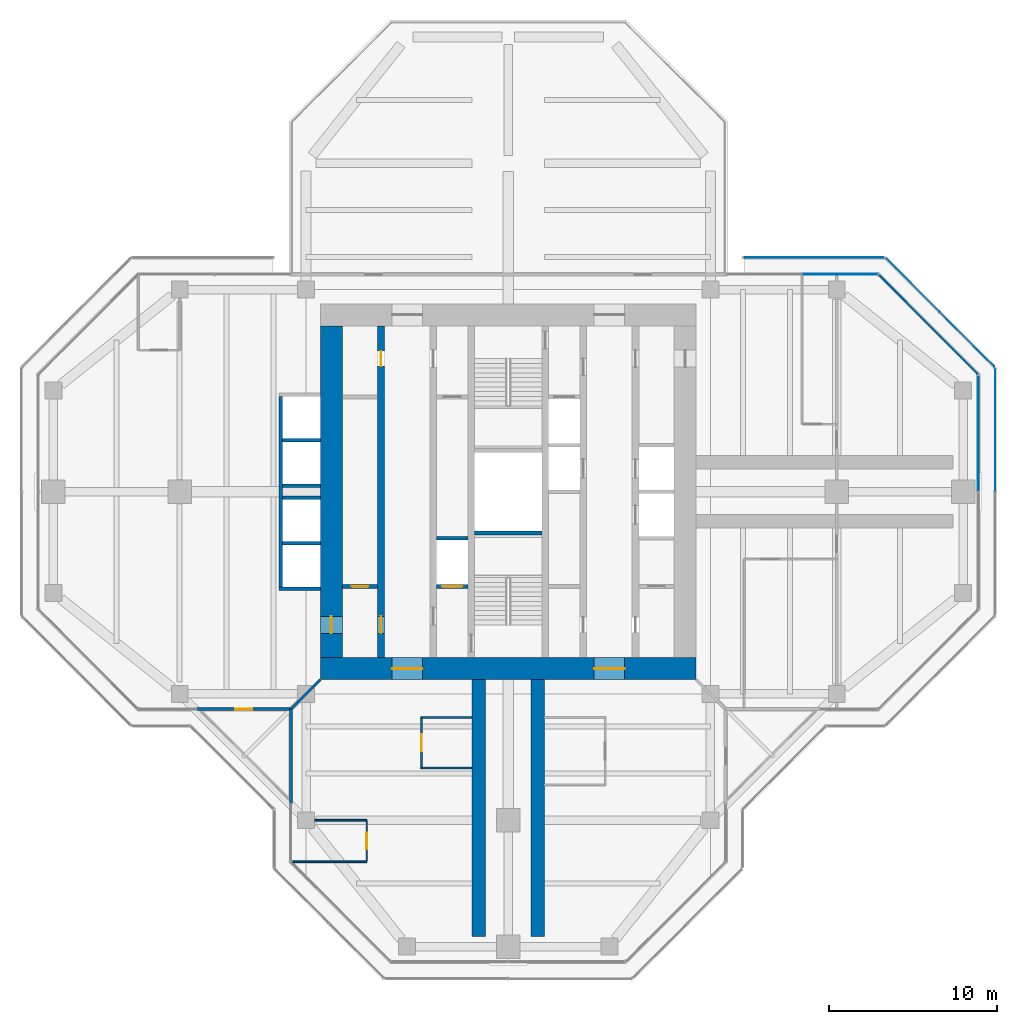
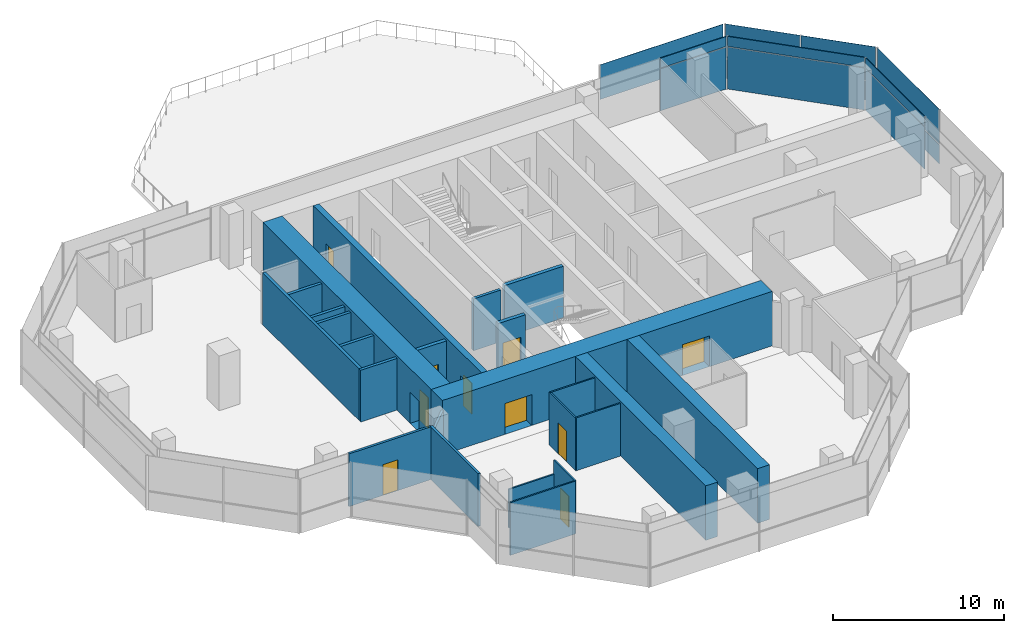
# One storey, part 11 of 15: 24 walls, 13 plates, 10 doors, 10 openings, 6 elements without a shape of their own.
"""IFC4 building model written with IfcOpenShell, lengths in metres."""

from ifc_helpers import new_model, si_unit, direction, frame, frame_2d, origin, origin_2d, place, context, subcontext, project, spatial, rectangle, extrude, material, layer, layer_set, type_object, element, fill, aggregate, save


model = new_model("IFC4")

# Units and contexts
model_context = context("Model", 3, precision=1e-05, world=origin(), true_north=direction((0.0, 1.0)))
body_context = subcontext(model_context, "Body", "Model", "MODEL_VIEW")
ifc_project = project(units=[si_unit("LENGTHUNIT", "METRE"), si_unit("AREAUNIT", "SQUARE_METRE"), si_unit("VOLUMEUNIT", "CUBIC_METRE"), si_unit("PLANEANGLEUNIT", "RADIAN"), si_unit("MASSUNIT", "GRAM", prefix="KILO")], contexts=[model_context])

# Site, building, storey
site_placement = place(None, origin())
site = spatial("IfcSite", under=ifc_project, at=site_placement, CompositionType="ELEMENT")
building_placement = place(site_placement, origin())
building = spatial("IfcBuilding", under=site, at=building_placement, Name="Mizan Broadcast Tower", CompositionType="ELEMENT")
storey_placement = place(building_placement, frame((0.0, 0.0, 267.300048828125)))
storey = spatial("IfcBuildingStorey", under=building, at=storey_placement, Name="L63", CompositionType="ELEMENT", Elevation=267.300048828125)

# Curtain wall, plate
ifc_material_1 = material(Name="Aluminium framed glazing", Category="aluminium")
curtain_wall_type_1 = type_object("IfcCurtainWallType", Name="INNER SKIN TOP ZONE", PredefinedType="USERDEFINED", material=ifc_material_1)
curtain_wall_1_placement = place(storey_placement, origin())
curtain_wall_1 = element("IfcCurtainWall", 1, at=curtain_wall_1_placement, inside=storey, type_object=curtain_wall_type_1, Name="Inner skin top zone L63 E end", ObjectType="INNER SKIN TOP ZONE", PredefinedType="USERDEFINED")
ifc_material_2 = material(Name="Double glazing, clear low-e", Category="glass")
ifc_layer_1 = layer(ifc_material_2, 0.028076171875)
ifc_layer_set_1 = layer_set([ifc_layer_1], Name="Double glazing, clear low-e")
plate_type_1 = type_object("IfcPlateType", Name="INNER SKIN GLAZING UNIT", PredefinedType="CURTAIN_PANEL", material=ifc_layer_set_1)
plate_1_placement = place(storey_placement, frame((27.89990234375, 3.46435546875, 0.0), z_axis=(0.0, 0.0, 1.0), x_axis=(0.0, 1.0, 0.0)))
plate_1 = element("IfcPlate", 2, at=plate_1_placement, type_object=plate_type_1, Name="Inner skin top zone L63 E end panel 2.1", PredefinedType="CURTAIN_PANEL", context=body_context, shape_type="SweptSolid", body=[
    extrude(rectangle(XDim=6.86865234375, YDim=0.028076171875, at=origin_2d()), origin(), (0.0, 0.0, 1.0), 3.0),
])

curtain_wall_2_placement = place(storey_placement, origin())
curtain_wall_2 = element("IfcCurtainWall", 3, at=curtain_wall_2_placement, inside=storey, type_object=curtain_wall_type_1, Name="Inner skin top zone L63 E chamfer", ObjectType="INNER SKIN TOP ZONE", PredefinedType="USERDEFINED")
plate_2_placement = place(storey_placement, frame((24.92919921875, 9.92919921875, 0.0), z_axis=(0.0, 0.0, 1.0), x_axis=(-0.707106781187, 0.707106781187, 0.0)))
plate_2 = element("IfcPlate", 4, at=plate_2_placement, type_object=plate_type_1, Name="Inner skin top zone L63 E chamfer panel 1.1", PredefinedType="CURTAIN_PANEL", context=body_context, shape_type="SweptSolid", body=[
    extrude(rectangle(XDim=8.282470703125, YDim=0.028076171875, at=origin_2d()), origin(), (0.0, 0.0, 1.0), 3.0),
])

curtain_wall_3_placement = place(storey_placement, origin())
curtain_wall_3 = element("IfcCurtainWall", 5, at=curtain_wall_3_placement, inside=storey, type_object=curtain_wall_type_1, Name="Inner skin top zone L63 N end", ObjectType="INNER SKIN TOP ZONE", PredefinedType="USERDEFINED")
plate_3_placement = place(storey_placement, frame((19.678955078125, 12.89990234375, 0.0), z_axis=(0.0, 0.0, 1.0), x_axis=(-1.0, 0.0, 0.0)))
plate_3 = element("IfcPlate", 6, at=plate_3_placement, type_object=plate_type_1, Name="Inner skin top zone L63 N end panel 1.1", PredefinedType="CURTAIN_PANEL", context=body_context, shape_type="SweptSolid", body=[
    extrude(rectangle(XDim=4.439208984375, YDim=0.028076171875, at=origin_2d()), origin(), (0.0, 0.0, 1.0), 3.0),
])

# Plate
ifc_material_3 = material(Name="Insulated aluminium spandrel panel, pale anodised", Category="aluminium")
ifc_layer_2 = layer(ifc_material_3, 0.050048828125)
ifc_layer_set_2 = layer_set([ifc_layer_2], Name="Insulated aluminium spandrel panel, pale anodised")
plate_type_2 = type_object("IfcPlateType", Name="INNER SKIN SPANDREL PANEL", PredefinedType="CURTAIN_PANEL", material=ifc_layer_set_2)
plate_4_placement = place(storey_placement, frame((27.89990234375, 3.46435546875, 3.06005859375), z_axis=(0.0, 0.0, 1.0), x_axis=(0.0, 1.0, 0.0)))
plate_4 = element("IfcPlate", 7, at=plate_4_placement, type_object=plate_type_2, Name="Inner skin top zone L63 E end panel 2.2", PredefinedType="CURTAIN_PANEL", context=body_context, shape_type="SweptSolid", body=[
    extrude(rectangle(XDim=6.86865234375, YDim=0.050048828125, at=origin_2d()), origin(), (0.0, 0.0, 1.0), 0.7099609375),
])

aggregate(curtain_wall_1, [plate_1, plate_4])

plate_5_placement = place(storey_placement, frame((24.92919921875, 9.92919921875, 3.06005859375), z_axis=(0.0, 0.0, 1.0), x_axis=(-0.707106781187, 0.707106781187, 0.0)))
plate_5 = element("IfcPlate", 8, at=plate_5_placement, type_object=plate_type_2, Name="Inner skin top zone L63 E chamfer panel 1.2", PredefinedType="CURTAIN_PANEL", context=body_context, shape_type="SweptSolid", body=[
    extrude(rectangle(XDim=8.282470703125, YDim=0.050048828125, at=origin_2d()), origin(), (0.0, 0.0, 1.0), 0.7099609375),
])

aggregate(curtain_wall_2, [plate_2, plate_5])

plate_6_placement = place(storey_placement, frame((19.678955078125, 12.89990234375, 3.06005859375), z_axis=(0.0, 0.0, 1.0), x_axis=(-1.0, 0.0, 0.0)))
plate_6 = element("IfcPlate", 9, at=plate_6_placement, type_object=plate_type_2, Name="Inner skin top zone L63 N end panel 1.2", PredefinedType="CURTAIN_PANEL", context=body_context, shape_type="SweptSolid", body=[
    extrude(rectangle(XDim=4.439208984375, YDim=0.050048828125, at=origin_2d()), origin(), (0.0, 0.0, 1.0), 0.7099609375),
])

aggregate(curtain_wall_3, [plate_3, plate_6])

# Curtain wall, plates
ifc_material_4 = material(Name="Aluminium framed glazing", Category="aluminium")
curtain_wall_type_2 = type_object("IfcCurtainWallType", Name="OUTER SKIN", PredefinedType="USERDEFINED", material=ifc_material_4)
curtain_wall_4_placement = place(storey_placement, origin())
curtain_wall_4 = element("IfcCurtainWall", 10, at=curtain_wall_4_placement, inside=storey, type_object=curtain_wall_type_2, Name="Outer skin L63 E chamfer", ObjectType="OUTER SKIN", PredefinedType="USERDEFINED")
ifc_material_5 = material(Name="Laminated clear glass", Category="glass")
ifc_layer_3 = layer(ifc_material_5, 0.02001953125)
ifc_layer_set_3 = layer_set([ifc_layer_3], Name="Laminated clear glass")
plate_type_3 = type_object("IfcPlateType", Name="OUTER SKIN CLEAR GLASS", PredefinedType="CURTAIN_PANEL", material=ifc_layer_set_3)
plate_7_placement = place(storey_placement, frame((27.254150390625, 9.018798828125, 0.0), z_axis=(0.0, 0.0, 1.0), x_axis=(-0.707106781187, 0.707106781187, 0.0)))
plate_7 = element("IfcPlate", 11, at=plate_7_placement, type_object=plate_type_3, Name="Outer skin L63 E chamfer panel 1.1", PredefinedType="CURTAIN_PANEL", context=body_context, shape_type="SweptSolid", body=[
    extrude(rectangle(XDim=4.495361328125, YDim=0.02001953125, at=origin_2d()), origin(), (0.0, 0.0, 1.0), 1.3701171875),
])
plate_8_placement = place(storey_placement, frame((27.254150390625, 9.018798828125, 1.43017578125), z_axis=(0.0, 0.0, 1.0), x_axis=(-0.707106781187, 0.707106781187, 0.0)))
plate_8 = element("IfcPlate", 12, at=plate_8_placement, type_object=plate_type_3, Name="Outer skin L63 E chamfer panel 1.2", PredefinedType="CURTAIN_PANEL", context=body_context, shape_type="SweptSolid", body=[
    extrude(rectangle(XDim=4.495361328125, YDim=0.02001953125, at=origin_2d()), origin(), (0.0, 0.0, 1.0), 2.469970703125),
])

# Curtain wall, plate
curtain_wall_5_placement = place(storey_placement, origin())
curtain_wall_5 = element("IfcCurtainWall", 13, at=curtain_wall_5_placement, inside=storey, type_object=curtain_wall_type_2, Name="Outer skin L63 N face", ObjectType="OUTER SKIN", PredefinedType="USERDEFINED")
plate_9_placement = place(storey_placement, frame((18.136474609375, 13.89990234375, 1.43017578125), z_axis=(0.0, 0.0, 1.0), x_axis=(-1.0, 0.0, 0.0)))
plate_9 = element("IfcPlate", 14, at=plate_9_placement, type_object=plate_type_3, Name="Outer skin L63 N face panel 1.2", PredefinedType="CURTAIN_PANEL", context=body_context, shape_type="SweptSolid", body=[
    extrude(rectangle(XDim=8.312744140625, YDim=0.02001953125, at=origin_2d()), origin(), (0.0, 0.0, 1.0), 2.469970703125),
])
aggregate(curtain_wall_5, [plate_9])

# Curtain wall, plates
curtain_wall_6_placement = place(storey_placement, origin())
curtain_wall_6 = element("IfcCurtainWall", 15, at=curtain_wall_6_placement, inside=storey, type_object=curtain_wall_type_2, Name="Outer skin L63 E end", ObjectType="OUTER SKIN", PredefinedType="USERDEFINED")
ifc_material_6 = material(Name="Perforated aluminium, pale anodised", Category="aluminium")
ifc_layer_4 = layer(ifc_material_6, 0.011962890625)
ifc_layer_set_4 = layer_set([ifc_layer_4], Name="Perforated aluminium, pale anodised")
plate_type_4 = type_object("IfcPlateType", Name="OUTER SKIN PERFORATED SCREEN", PredefinedType="USERDEFINED", material=ifc_layer_set_4)
plate_10_placement = place(storey_placement, frame((28.89990234375, 3.66650390625, 0.0), z_axis=(0.0, 0.0, 1.0), x_axis=(0.0, 1.0, 0.0)))
plate_10 = element("IfcPlate", 16, at=plate_10_placement, type_object=plate_type_4, Name="Outer skin L63 E end panel 2.1", ObjectType="SCREEN", PredefinedType="USERDEFINED", context=body_context, shape_type="SweptSolid", body=[
    extrude(rectangle(XDim=7.252685546875, YDim=0.011962890625, at=origin_2d()), origin(), (0.0, 0.0, 1.0), 1.3701171875),
])
plate_11_placement = place(storey_placement, frame((28.89990234375, 3.66650390625, 1.43017578125), z_axis=(0.0, 0.0, 1.0), x_axis=(0.0, 1.0, 0.0)))
plate_11 = element("IfcPlate", 17, at=plate_11_placement, type_object=plate_type_4, Name="Outer skin L63 E end panel 2.2", ObjectType="SCREEN", PredefinedType="USERDEFINED", context=body_context, shape_type="SweptSolid", body=[
    extrude(rectangle(XDim=7.252685546875, YDim=0.011962890625, at=origin_2d()), origin(), (0.0, 0.0, 1.0), 2.469970703125),
])
aggregate(curtain_wall_6, [plate_10, plate_11])

# Plate
plate_12_placement = place(storey_placement, frame((24.018798828125, 12.254150390625, 0.0), z_axis=(0.0, 0.0, 1.0), x_axis=(-0.707106781187, 0.707106781187, 0.0)))
plate_12 = element("IfcPlate", 18, at=plate_12_placement, type_object=plate_type_4, Name="Outer skin L63 E chamfer panel 2.1", ObjectType="SCREEN", PredefinedType="USERDEFINED", context=body_context, shape_type="SweptSolid", body=[
    extrude(rectangle(XDim=4.495361328125, YDim=0.011962890625, at=origin_2d()), origin(), (0.0, 0.0, 1.0), 1.3701171875),
])

plate_13_placement = place(storey_placement, frame((24.018798828125, 12.254150390625, 1.43017578125), z_axis=(0.0, 0.0, 1.0), x_axis=(-0.707106781187, 0.707106781187, 0.0)))
plate_13 = element("IfcPlate", 19, at=plate_13_placement, type_object=plate_type_4, Name="Outer skin L63 E chamfer panel 2.2", ObjectType="SCREEN", PredefinedType="USERDEFINED", context=body_context, shape_type="SweptSolid", body=[
    extrude(rectangle(XDim=4.495361328125, YDim=0.011962890625, at=origin_2d()), origin(), (0.0, 0.0, 1.0), 2.469970703125),
])

aggregate(curtain_wall_4, [plate_7, plate_8, plate_12, plate_13])

# Wall, openings, doors
ifc_material_7 = material(Name="Concrete C70/85", Category="concrete")
ifc_layer_5 = layer(ifc_material_7, 0.39990234375)
ifc_layer_set_5 = layer_set([ifc_layer_5], Name="Concrete C70/85")
wall_type_1 = type_object("IfcWallType", Name="CORE INTERNAL WALL 400", PredefinedType="SHEAR", material=ifc_layer_set_5)
wall_1_placement = place(storey_placement, frame((-7.550048828125, -9.85009765625, 0.0), z_axis=(0.0, 0.0, 1.0), x_axis=(0.0, 1.0, 0.0)))
wall_1 = element("IfcWall", 20, at=wall_1_placement, inside=storey, type_object=wall_type_1, Name="Core wall CORE/XW1", PredefinedType="SHEAR", context=body_context, shape_type="SweptSolid", body=[
    extrude(rectangle(XDim=19.7001953125, YDim=0.39990234375, at=frame_2d((9.85009765625, 0.0))), origin(), (0.0, 0.0, 1.0), 3.89990234375),
])
opening_1_placement = place(wall_1_placement, frame((1.449951171875, 0.0, 0.0)))
opening_1 = element("IfcOpeningElement", 21, at=opening_1_placement, cuts=wall_1, Name="Opening D10F", PredefinedType="OPENING", context=body_context, shape_type="SweptSolid", body=[
    extrude(rectangle(XDim=1.0, YDim=2.199951171875, at=frame_2d((0.5, 1.10009765625))), frame((0.0, 0.2099609375, 0.0), z_axis=(0.0, -1.0, 0.0), x_axis=(1.0, 0.0, 0.0)), (0.0, 0.0, 1.0), 0.419921875),
])
opening_2_placement = place(wall_1_placement, frame((17.300048828125, 0.0, 0.0)))
opening_2 = element("IfcOpeningElement", 22, at=opening_2_placement, cuts=wall_1, Name="Opening D09", PredefinedType="OPENING", context=body_context, shape_type="SweptSolid", body=[
    extrude(rectangle(XDim=0.89990234375, YDim=2.10009765625, at=frame_2d((0.449951171875, 1.050048828125))), frame((0.0, 0.2099609375, 0.0), z_axis=(0.0, -1.0, 0.0), x_axis=(1.0, 0.0, 0.0)), (0.0, 0.0, 1.0), 0.419921875),
])
ifc_material_8 = material(Name="Steel door leaf in steel frame", Category="steel")
door_type_1 = type_object("IfcDoorType", Name="FIRE DOOR 1000 FD90", OperationType="SINGLE_SWING_LEFT", PredefinedType="DOOR", material=ifc_material_8)
door_1_placement = place(opening_1_placement, origin())
door_1 = element("IfcDoor", 23, at=door_1_placement, inside=storey, type_object=door_type_1, Name="West core passage door", OperationType="SINGLE_SWING_LEFT", OverallHeight=2.199951171875, OverallWidth=1.0, PredefinedType="DOOR", context=body_context, shape_type="SweptSolid", body=[
    extrude(rectangle(XDim=1.0, YDim=2.199951171875, at=frame_2d((0.5, 1.10009765625))), frame((0.0, 0.02490234375, 0.0), z_axis=(0.0, -1.0, 0.0), x_axis=(1.0, 0.0, 0.0)), (0.0, 0.0, 1.0), 0.050048828125),
])
fill(opening_1, door_1)
ifc_material_9 = material(Name="Timber door leaf in aluminium frame", Category="wood")
door_type_2 = type_object("IfcDoorType", Name="TOILET DOOR 900", OperationType="SINGLE_SWING_LEFT", PredefinedType="DOOR", material=ifc_material_9)
door_2_placement = place(opening_2_placement, origin())
door_2 = element("IfcDoor", 24, at=door_2_placement, inside=storey, type_object=door_type_2, Name="Male WC door", OperationType="SINGLE_SWING_RIGHT", OverallHeight=2.10009765625, OverallWidth=0.89990234375, PredefinedType="DOOR", context=body_context, shape_type="SweptSolid", body=[
    extrude(rectangle(XDim=0.89990234375, YDim=2.10009765625, at=frame_2d((0.449951171875, 1.050048828125))), frame((0.0, 0.02490234375, 0.0), z_axis=(0.0, -1.0, 0.0), x_axis=(1.0, 0.0, 0.0)), (0.0, 0.0, 1.0), 0.050048828125),
])
fill(opening_2, door_2)

ifc_material_10 = material(Name="Concrete C70/85", Category="concrete")
ifc_layer_6 = layer(ifc_material_10, 1.300048828125)
ifc_layer_set_6 = layer_set([ifc_layer_6], Name="Concrete C70/85")
wall_type_2 = type_object("IfcWallType", Name="CORE WALL 1300", PredefinedType="SHEAR", material=ifc_layer_set_6)
wall_2_placement = place(storey_placement, frame((11.14990234375, -10.5, 0.0), z_axis=(0.0, 0.0, 1.0), x_axis=(-1.0, 0.0, 0.0)))
wall_2 = element("IfcWall", 25, at=wall_2_placement, inside=storey, type_object=wall_type_2, Name="Core wall S L63", PredefinedType="SHEAR", context=body_context, shape_type="SweptSolid", body=[
    extrude(rectangle(XDim=22.2998046875, YDim=1.300048828125, at=frame_2d((11.14990234375, 0.0))), origin(), (0.0, 0.0, 1.0), 3.89990234375),
])
opening_3_placement = place(wall_2_placement, frame((16.25, 0.0, 0.0)))
opening_3 = element("IfcOpeningElement", 26, at=opening_3_placement, cuts=wall_2, Name="Opening D18F", PredefinedType="OPENING", context=body_context, shape_type="SweptSolid", body=[
    extrude(rectangle(XDim=1.800048828125, YDim=2.199951171875, at=frame_2d((0.89990234375, 1.10009765625))), frame((0.0, 0.659912109375, 0.0), z_axis=(0.0, -1.0, 0.0), x_axis=(1.0, 0.0, 0.0)), (0.0, 0.0, 1.0), 1.320068359375),
])
opening_4_placement = place(wall_2_placement, frame((4.25, 0.0, 0.0)))
opening_4 = element("IfcOpeningElement", 27, at=opening_4_placement, cuts=wall_2, Name="Opening D18F", PredefinedType="OPENING", context=body_context, shape_type="SweptSolid", body=[
    extrude(rectangle(XDim=1.800048828125, YDim=2.199951171875, at=frame_2d((0.89990234375, 1.10009765625))), frame((0.0, 0.659912109375, 0.0), z_axis=(0.0, -1.0, 0.0), x_axis=(1.0, 0.0, 0.0)), (0.0, 0.0, 1.0), 1.320068359375),
])
ifc_material_11 = material(Name="Steel door leaf in steel frame", Category="steel")
door_type_3 = type_object("IfcDoorType", Name="LOBBY DOUBLE DOOR 1800 FD90", OperationType="DOUBLE_DOOR_DOUBLE_SWING", PredefinedType="DOOR", material=ifc_material_11)
door_3_placement = place(opening_3_placement, origin())
door_3 = element("IfcDoor", 28, at=door_3_placement, inside=storey, type_object=door_type_3, Name="West lift lobby south door", OperationType="DOUBLE_DOOR_DOUBLE_SWING", OverallHeight=2.199951171875, OverallWidth=1.800048828125, PredefinedType="DOOR", context=body_context, shape_type="SweptSolid", body=[
    extrude(rectangle(XDim=1.800048828125, YDim=2.199951171875, at=frame_2d((0.89990234375, 1.10009765625))), frame((0.0, 0.02490234375, 0.0), z_axis=(0.0, -1.0, 0.0), x_axis=(1.0, 0.0, 0.0)), (0.0, 0.0, 1.0), 0.050048828125),
])
fill(opening_3, door_3)
door_4_placement = place(opening_4_placement, origin())
door_4 = element("IfcDoor", 29, at=door_4_placement, inside=storey, type_object=door_type_3, Name="East lift lobby south door", OperationType="DOUBLE_DOOR_DOUBLE_SWING", OverallHeight=2.199951171875, OverallWidth=1.800048828125, PredefinedType="DOOR", context=body_context, shape_type="SweptSolid", body=[
    extrude(rectangle(XDim=1.800048828125, YDim=2.199951171875, at=frame_2d((0.89990234375, 1.10009765625))), frame((0.0, 0.02490234375, 0.0), z_axis=(0.0, -1.0, 0.0), x_axis=(1.0, 0.0, 0.0)), (0.0, 0.0, 1.0), 0.050048828125),
])
fill(opening_4, door_4)

# Wall, opening, door
wall_3_placement = place(storey_placement, frame((-10.5, 9.85009765625, 0.0), z_axis=(0.0, 0.0, 1.0), x_axis=(0.0, -1.0, 0.0)))
wall_3 = element("IfcWall", 30, at=wall_3_placement, inside=storey, type_object=wall_type_2, Name="Core wall W L63", PredefinedType="SHEAR", context=body_context, shape_type="SweptSolid", body=[
    extrude(rectangle(XDim=19.7001953125, YDim=1.300048828125, at=frame_2d((9.85009765625, 0.0))), origin(), (0.0, 0.0, 1.0), 3.89990234375),
])
opening_5_placement = place(wall_3_placement, frame((17.25, 0.0, 0.0)))
opening_5 = element("IfcOpeningElement", 31, at=opening_5_placement, cuts=wall_3, Name="Opening D10F", PredefinedType="OPENING", context=body_context, shape_type="SweptSolid", body=[
    extrude(rectangle(XDim=1.0, YDim=2.199951171875, at=frame_2d((0.5, 1.10009765625))), frame((0.0, 0.659912109375, 0.0), z_axis=(0.0, -1.0, 0.0), x_axis=(1.0, 0.0, 0.0)), (0.0, 0.0, 1.0), 1.320068359375),
])
door_5_placement = place(opening_5_placement, origin())
door_5 = element("IfcDoor", 32, at=door_5_placement, inside=storey, type_object=door_type_1, Name="West core passage arm door", OperationType="SINGLE_SWING_RIGHT", OverallHeight=2.199951171875, OverallWidth=1.0, PredefinedType="DOOR", context=body_context, shape_type="SweptSolid", body=[
    extrude(rectangle(XDim=1.0, YDim=2.199951171875, at=frame_2d((0.5, 1.10009765625))), frame((0.0, 0.02490234375, 0.0), z_axis=(0.0, -1.0, 0.0), x_axis=(1.0, 0.0, 0.0)), (0.0, 0.0, 1.0), 0.050048828125),
])
fill(opening_5, door_5)

ifc_material_12 = material(Name="Aluminium framed glazed screen", Category="aluminium")
ifc_layer_7 = layer(ifc_material_12, 0.159912109375)
ifc_layer_set_7 = layer_set([ifc_layer_7], Name="Aluminium framed glazed screen")
wall_type_3 = type_object("IfcWallType", Name="GLAZED SCREEN WALL 160", PredefinedType="SOLIDWALL", material=ifc_layer_set_7)
wall_4_placement = place(storey_placement, frame((-18.5, -12.89990234375, 0.0), z_axis=(0.0, 0.0, 1.0), x_axis=(1.0, 0.0, 0.0)))
wall_4 = element("IfcWall", 33, at=wall_4_placement, inside=storey, type_object=wall_type_3, Name="Winter garden screen L63 W", PredefinedType="SOLIDWALL", context=body_context, shape_type="SweptSolid", body=[
    extrude(rectangle(XDim=5.60009765625, YDim=0.159912109375, at=frame_2d((2.800048828125, 0.0))), origin(), (0.0, 0.0, 1.0), 3.77001953125),
])
opening_6_placement = place(wall_4_placement, frame((2.300048828125, 0.0, 0.0)))
opening_6 = element("IfcOpeningElement", 34, at=opening_6_placement, cuts=wall_4, Name="Opening WGD", PredefinedType="OPENING", context=body_context, shape_type="SweptSolid", body=[
    extrude(rectangle(XDim=1.0, YDim=2.199951171875, at=frame_2d((0.5, 1.10009765625))), frame((0.0, 0.08984375, 0.0), z_axis=(0.0, -1.0, 0.0), x_axis=(1.0, 0.0, 0.0)), (0.0, 0.0, 1.0), 0.179931640625),
])
ifc_material_13 = material(Name="Aluminium framed glazed door", Category="aluminium")
door_type_4 = type_object("IfcDoorType", Name="WINTER GARDEN DOOR 1000 GLAZED", OperationType="SINGLE_SWING_LEFT", PredefinedType="DOOR", material=ifc_material_13)
door_6_placement = place(opening_6_placement, origin())
door_6 = element("IfcDoor", 35, at=door_6_placement, inside=storey, type_object=door_type_4, Name="Winter garden door L63 W", OperationType="SINGLE_SWING_RIGHT", OverallHeight=2.199951171875, OverallWidth=1.0, PredefinedType="DOOR", context=body_context, shape_type="SweptSolid", body=[
    extrude(rectangle(XDim=1.0, YDim=2.199951171875, at=frame_2d((0.5, 1.10009765625))), frame((0.0, 0.02490234375, 0.0), z_axis=(0.0, -1.0, 0.0), x_axis=(1.0, 0.0, 0.0)), (0.0, 0.0, 1.0), 0.050048828125),
])
fill(opening_6, door_6)

# Walls
wall_5_placement = place(storey_placement, frame((-12.89990234375, -12.89990234375, 0.0), z_axis=(0.0, 0.0, 1.0), x_axis=(0.0, -1.0, 0.0)))
element("IfcWall", 36, at=wall_5_placement, inside=storey, type_object=wall_type_3, Name="Winter garden screen L63 S", PredefinedType="SOLIDWALL", context=body_context, shape_type="SweptSolid", body=[
    extrude(rectangle(XDim=5.60009765625, YDim=0.159912109375, at=frame_2d((2.800048828125, 0.0))), origin(), (0.0, 0.0, 1.0), 3.77001953125),
])
ifc_material_14 = material(Name="Concrete blockwork", Category="masonry")
ifc_layer_8 = layer(ifc_material_14, 0.199951171875)
ifc_layer_set_8 = layer_set([ifc_layer_8], Name="Concrete blockwork")
wall_type_4 = type_object("IfcWallType", Name="LIFT SHAFT WALL 200", PredefinedType="SOLIDWALL", material=ifc_layer_set_8)
wall_6_placement = place(storey_placement, frame((-4.25, -2.75, 0.0), z_axis=(0.0, 0.0, 1.0), x_axis=(1.0, 0.0, 0.0)))
element("IfcWall", 37, at=wall_6_placement, inside=storey, type_object=wall_type_4, Name="Lift shaft wall CORE/SW2-1", PredefinedType="SOLIDWALL", context=body_context, shape_type="SweptSolid", body=[
    extrude(rectangle(XDim=1.85009765625, YDim=0.199951171875, at=frame_2d((0.925048828125, 0.0))), origin(), (0.0, 0.0, 1.0), 3.699951171875),
])
wall_7_placement = place(storey_placement, frame((-13.5, 5.64990234375, 0.0), z_axis=(0.0, 0.0, 1.0), x_axis=(0.0, -1.0, 0.0)))
element("IfcWall", 38, at=wall_7_placement, inside=storey, type_object=wall_type_4, Name="Lift shaft wall LC/F", PredefinedType="SOLIDWALL", context=body_context, shape_type="SweptSolid", body=[
    extrude(rectangle(XDim=11.2998046875, YDim=0.199951171875, at=frame_2d((5.64990234375, 0.0))), origin(), (0.0, 0.0, 1.0), 3.699951171875),
])
wall_8_placement = place(storey_placement, frame((-11.14990234375, -5.75, 0.0), z_axis=(0.0, 0.0, 1.0), x_axis=(-1.0, 0.0, 0.0)))
element("IfcWall", 39, at=wall_8_placement, inside=storey, type_object=wall_type_4, Name="Lift shaft wall LC/S2", PredefinedType="SOLIDWALL", context=body_context, shape_type="SweptSolid", body=[
    extrude(rectangle(XDim=2.4501953125, YDim=0.199951171875, at=frame_2d((1.22509765625, 0.0))), origin(), (0.0, 0.0, 1.0), 3.699951171875),
])
for number, where, z_axis, x_axis, name in (
    (40, (-11.14990234375, 3.050048828125, 0.0), (0.0, 0.0, 1.0), (-1.0, 0.0, 0.0), "Lift shaft wall LC/SP1"),
    (41, (-11.14990234375, 0.35009765625, 0.0), (0.0, 0.0, 1.0), (-1.0, 0.0, 0.0), "Lift shaft wall LC/SP2"),
    (42, (-11.14990234375, -0.35009765625, 0.0), (0.0, 0.0, 1.0), (-1.0, 0.0, 0.0), "Lift shaft wall LC/SP3"),
    (43, (-11.14990234375, -3.050048828125, 0.0), (0.0, 0.0, 1.0), (-1.0, 0.0, 0.0), "Lift shaft wall LC/SP4"),
):
    element("IfcWall", number, at=place(storey_placement, frame(where, z_axis=z_axis, x_axis=x_axis)), inside=storey, type_object=wall_type_4, Name=name, PredefinedType="SOLIDWALL", context=body_context, shape_type="SweptSolid", body=[
        extrude(rectangle(XDim=2.25, YDim=0.199951171875, at=frame_2d((1.125, 0.0))), origin(), (0.0, 0.0, 1.0), 3.699951171875),
    ])

# Wall, opening, door
ifc_material_15 = material(Name="Concrete blockwork", Category="masonry")
ifc_layer_9 = layer(ifc_material_15, 0.25)
ifc_layer_set_9 = layer_set([ifc_layer_9], Name="Concrete blockwork")
wall_type_5 = type_object("IfcWallType", Name="LOBBY ENCLOSURE WALL 250", PredefinedType="SOLIDWALL", material=ifc_layer_set_9)
wall_9_placement = place(storey_placement, frame((-9.85009765625, -5.625, 0.0), z_axis=(0.0, 0.0, 1.0), x_axis=(1.0, 0.0, 0.0)))
wall_9 = element("IfcWall", 44, at=wall_9_placement, inside=storey, type_object=wall_type_5, Name="Lobby enclosure wall CORE/BW1S", PredefinedType="SOLIDWALL", context=body_context, shape_type="SweptSolid", body=[
    extrude(rectangle(XDim=2.10009765625, YDim=0.25, at=frame_2d((1.050048828125, 0.0))), origin(), (0.0, 0.0, 1.0), 3.699951171875),
])
opening_7_placement = place(wall_9_placement, frame((0.550048828125, 0.0, 0.0)))
opening_7 = element("IfcOpeningElement", 45, at=opening_7_placement, cuts=wall_9, Name="Opening D10F", PredefinedType="OPENING", context=body_context, shape_type="SweptSolid", body=[
    extrude(rectangle(XDim=1.0, YDim=2.199951171875, at=frame_2d((0.5, 1.10009765625))), frame((0.0, 0.135009765625, 0.0), z_axis=(0.0, -1.0, 0.0), x_axis=(1.0, 0.0, 0.0)), (0.0, 0.0, 1.0), 0.27001953125),
])
door_7_placement = place(opening_7_placement, origin())
door_7 = element("IfcDoor", 46, at=door_7_placement, inside=storey, type_object=door_type_1, Name="Comms equipment room door", OperationType="SINGLE_SWING_RIGHT", OverallHeight=2.199951171875, OverallWidth=1.0, PredefinedType="DOOR", context=body_context, shape_type="SweptSolid", body=[
    extrude(rectangle(XDim=1.0, YDim=2.199951171875, at=frame_2d((0.5, 1.10009765625))), frame((0.0, 0.02490234375, 0.0), z_axis=(0.0, -1.0, 0.0), x_axis=(1.0, 0.0, 0.0)), (0.0, 0.0, 1.0), 0.050048828125),
])
fill(opening_7, door_7)

wall_10_placement = place(storey_placement, frame((-4.25, -5.625, 0.0), z_axis=(0.0, 0.0, 1.0), x_axis=(1.0, 0.0, 0.0)))
wall_10 = element("IfcWall", 47, at=wall_10_placement, inside=storey, type_object=wall_type_5, Name="Lobby enclosure wall CORE/BW2S", PredefinedType="SOLIDWALL", context=body_context, shape_type="SweptSolid", body=[
    extrude(rectangle(XDim=1.85009765625, YDim=0.25, at=frame_2d((0.925048828125, 0.0))), origin(), (0.0, 0.0, 1.0), 3.699951171875),
])
opening_8_placement = place(wall_10_placement, frame((0.324951171875, 0.0, 0.0)))
opening_8 = element("IfcOpeningElement", 48, at=opening_8_placement, cuts=wall_10, Name="Opening LDF", PredefinedType="OPENING", context=body_context, shape_type="SweptSolid", body=[
    extrude(rectangle(XDim=1.199951171875, YDim=2.199951171875, at=frame_2d((0.60009765625, 1.10009765625))), frame((0.0, 0.135009765625, 0.0), z_axis=(0.0, -1.0, 0.0), x_axis=(1.0, 0.0, 0.0)), (0.0, 0.0, 1.0), 0.27001953125),
])
ifc_material_16 = material(Name="Steel door leaf in steel frame", Category="steel")
door_type_5 = type_object("IfcDoorType", Name="FIREFIGHTING LIFT LANDING DOOR 1200", OperationType="SLIDING_TO_LEFT", PredefinedType="DOOR", material=ifc_material_16)
door_8_placement = place(opening_8_placement, origin())
door_8 = element("IfcDoor", 49, at=door_8_placement, inside=storey, type_object=door_type_5, Name="Landing door FF1", OperationType="SLIDING_TO_LEFT", OverallHeight=2.199951171875, OverallWidth=1.199951171875, PredefinedType="DOOR", context=body_context, shape_type="SweptSolid", body=[
    extrude(rectangle(XDim=1.199951171875, YDim=2.199951171875, at=frame_2d((0.60009765625, 1.10009765625))), frame((0.0, 0.02490234375, 0.0), z_axis=(0.0, -1.0, 0.0), x_axis=(1.0, 0.0, 0.0)), (0.0, 0.0, 1.0), 0.050048828125),
])
fill(opening_8, door_8)

# Walls
wall_11_placement = place(storey_placement, frame((-2.0, -2.449951171875, 0.0), z_axis=(0.0, 0.0, 1.0), x_axis=(1.0, 0.0, 0.0)))
element("IfcWall", 50, at=wall_11_placement, inside=storey, type_object=wall_type_5, Name="Lobby enclosure wall CORE/STA", PredefinedType="SOLIDWALL", context=body_context, shape_type="SweptSolid", body=[
    extrude(rectangle(XDim=4.0, YDim=0.25, at=frame_2d((2.0, 0.0))), origin(), (0.0, 0.0, 1.0), 3.699951171875),
])
ifc_material_17 = material(Name="Gypsum board on steel studs", Category="steel")
ifc_layer_10 = layer(ifc_material_17, 0.14990234375)
ifc_layer_set_10 = layer_set([ifc_layer_10], Name="Gypsum board on steel studs")
wall_type_6 = type_object("IfcWallType", Name="PARTITION 150", PredefinedType="PARTITIONING", material=ifc_layer_set_10)
wall_12_placement = place(storey_placement, frame((-11.14990234375, -11.14990234375, 0.0), z_axis=(0.0, 0.0, 1.0), x_axis=(-0.707106781187, -0.707106781187, 0.0)))
element("IfcWall", 51, at=wall_12_placement, inside=storey, type_object=wall_type_6, Name="Partition PT/DGWS", PredefinedType="PARTITIONING", context=body_context, shape_type="SweptSolid", body=[
    extrude(rectangle(XDim=2.460693359375, YDim=0.14990234375, at=frame_2d((1.23046875, 0.0))), origin(), (0.0, 0.0, 1.0), 3.219970703125),
])

# Wall, opening, door
ifc_material_18 = material(Name="Glazed aluminium partition on aluminium track", Category="aluminium")
ifc_layer_11 = layer(ifc_material_18, 0.10009765625)
ifc_layer_set_11 = layer_set([ifc_layer_11], Name="Glazed aluminium partition on aluminium track")
wall_type_7 = type_object("IfcWallType", Name="PARTITION GLAZED OFFICE FRONT 100", PredefinedType="PARTITIONING", material=ifc_layer_set_11)
wall_13_placement = place(storey_placement, frame((-8.39990234375, -19.5, 0.0), z_axis=(0.0, 0.0, 1.0), x_axis=(0.0, -1.0, 0.0)))
wall_13 = element("IfcWall", 52, at=wall_13_placement, inside=storey, type_object=wall_type_7, Name="Glazed office front PT/SCN0", PredefinedType="PARTITIONING", context=body_context, shape_type="SweptSolid", body=[
    extrude(rectangle(XDim=2.458984375, YDim=0.10009765625, at=frame_2d((1.2294921875, 0.0))), origin(), (0.0, 0.0, 1.0), 3.77001953125),
])
opening_9_placement = place(wall_13_placement, frame((0.7294921875, 0.0, 0.0)))
opening_9 = element("IfcOpeningElement", 53, at=opening_9_placement, cuts=wall_13, Name="Opening D10O", PredefinedType="OPENING", context=body_context, shape_type="SweptSolid", body=[
    extrude(rectangle(XDim=1.0, YDim=2.199951171875, at=frame_2d((0.5, 1.10009765625))), frame((0.0, 0.06005859375, 0.0), z_axis=(0.0, -1.0, 0.0), x_axis=(1.0, 0.0, 0.0)), (0.0, 0.0, 1.0), 0.1201171875),
])
ifc_material_19 = material(Name="Timber door leaf in aluminium frame", Category="wood")
door_type_6 = type_object("IfcDoorType", Name="OFFICE DOOR 1000 GLAZED", OperationType="SINGLE_SWING_LEFT", PredefinedType="DOOR", material=ifc_material_19)
door_9_placement = place(opening_9_placement, origin())
door_9 = element("IfcDoor", 54, at=door_9_placement, inside=storey, type_object=door_type_6, Name="Duty manager's office door", OperationType="SINGLE_SWING_LEFT", OverallHeight=2.199951171875, OverallWidth=1.0, PredefinedType="DOOR", context=body_context, shape_type="SweptSolid", body=[
    extrude(rectangle(XDim=1.0, YDim=2.199951171875, at=frame_2d((0.5, 1.10009765625))), frame((0.0, 0.02490234375, 0.0), z_axis=(0.0, -1.0, 0.0), x_axis=(1.0, 0.0, 0.0)), (0.0, 0.0, 1.0), 0.050048828125),
])
fill(opening_9, door_9)

# Walls
wall_14_placement = place(storey_placement, frame((-8.39990234375, -19.5, 0.0), z_axis=(0.0, 0.0, 1.0), x_axis=(-1.0, 0.0, 0.0)))
element("IfcWall", 55, at=wall_14_placement, inside=storey, type_object=wall_type_7, Name="Glazed office front PT/SQN1950", PredefinedType="PARTITIONING", context=body_context, shape_type="SweptSolid", body=[
    extrude(rectangle(XDim=3.10009765625, YDim=0.10009765625, at=frame_2d((1.550048828125, 0.0))), origin(), (0.0, 0.0, 1.0), 2.77001953125),
])
wall_15_placement = place(storey_placement, frame((-8.39990234375, -21.958984375, 0.0), z_axis=(0.0, 0.0, 1.0), x_axis=(-1.0, 0.0, 0.0)))
element("IfcWall", 56, at=wall_15_placement, inside=storey, type_object=wall_type_7, Name="Glazed office front PT/SQN2196", PredefinedType="PARTITIONING", context=body_context, shape_type="SweptSolid", body=[
    extrude(rectangle(XDim=4.420166015625, YDim=0.10009765625, at=frame_2d((2.2099609375, 0.0))), origin(), (0.0, 0.0, 1.0), 3.77001953125),
])
for number, where, z_axis, x_axis, name in (
    (57, (-2.14990234375, -13.39990234375, 0.0), (0.0, 0.0, 1.0), (-1.0, 0.0, 0.0), "Glazed office front PT/SKN0a"),
    (58, (-2.14990234375, -16.39990234375, 0.0), (0.0, 0.0, 1.0), (-1.0, 0.0, 0.0), "Glazed office front PT/SKN0b"),
):
    element("IfcWall", number, at=place(storey_placement, frame(where, z_axis=z_axis, x_axis=x_axis)), inside=storey, type_object=wall_type_7, Name=name, PredefinedType="PARTITIONING", context=body_context, shape_type="SweptSolid", body=[
        extrude(rectangle(XDim=3.0, YDim=0.10009765625, at=frame_2d((1.5, 0.0))), origin(), (0.0, 0.0, 1.0), 3.77001953125),
    ])

# Wall, opening, door
wall_16_placement = place(storey_placement, frame((-5.14990234375, -13.35009765625, 0.0), z_axis=(0.0, 0.0, 1.0), x_axis=(0.0, -1.0, 0.0)))
wall_16 = element("IfcWall", 59, at=wall_16_placement, inside=storey, type_object=wall_type_7, Name="Glazed office front PT/SKN0f", PredefinedType="PARTITIONING", context=body_context, shape_type="SweptSolid", body=[
    extrude(rectangle(XDim=3.099853515625, YDim=0.10009765625, at=frame_2d((1.5498046875, 0.0))), origin(), (0.0, 0.0, 1.0), 3.77001953125),
])
opening_10_placement = place(wall_16_placement, frame((1.050048828125, 0.0, 0.0)))
opening_10 = element("IfcOpeningElement", 60, at=opening_10_placement, cuts=wall_16, Name="Opening D10O", PredefinedType="OPENING", context=body_context, shape_type="SweptSolid", body=[
    extrude(rectangle(XDim=1.0, YDim=2.199951171875, at=frame_2d((0.5, 1.10009765625))), frame((0.0, 0.06005859375, 0.0), z_axis=(0.0, -1.0, 0.0), x_axis=(1.0, 0.0, 0.0)), (0.0, 0.0, 1.0), 0.1201171875),
])
door_10_placement = place(opening_10_placement, origin())
door_10 = element("IfcDoor", 61, at=door_10_placement, inside=storey, type_object=door_type_6, Name="Pantry door", OperationType="SINGLE_SWING_LEFT", OverallHeight=2.199951171875, OverallWidth=1.0, PredefinedType="DOOR", context=body_context, shape_type="SweptSolid", body=[
    extrude(rectangle(XDim=1.0, YDim=2.199951171875, at=frame_2d((0.5, 1.10009765625))), frame((0.0, 0.02490234375, 0.0), z_axis=(0.0, -1.0, 0.0), x_axis=(1.0, 0.0, 0.0)), (0.0, 0.0, 1.0), 0.050048828125),
])
fill(opening_10, door_10)

# Walls
ifc_material_20 = material(Name="Concrete C70/85", Category="concrete")
ifc_layer_12 = layer(ifc_material_20, 0.800048828125)
ifc_layer_set_12 = layer_set([ifc_layer_12], Name="Concrete C70/85")
wall_type_8 = type_object("IfcWallType", Name="SPINE WALL 800", PredefinedType="SHEAR", material=ifc_layer_set_12)
for number, where, z_axis, x_axis, name in (
    (62, (-1.75, -11.14990234375, 0.0), (0.0, 0.0, 1.0), (0.0, -1.0, 0.0), "Spine wall SR L63"),
    (63, (1.75, -11.14990234375, 0.0), (0.0, 0.0, 1.0), (0.0, -1.0, 0.0), "Spine wall SL L63"),
):
    element("IfcWall", number, at=place(storey_placement, frame(where, z_axis=z_axis, x_axis=x_axis)), inside=storey, type_object=wall_type_8, Name=name, PredefinedType="SHEAR", context=body_context, shape_type="SweptSolid", body=[
        extrude(rectangle(XDim=15.25, YDim=0.800048828125, at=frame_2d((7.625, 0.0))), origin(), (0.0, 0.0, 1.0), 3.89990234375),
    ])

save(model, "model.ifc")
